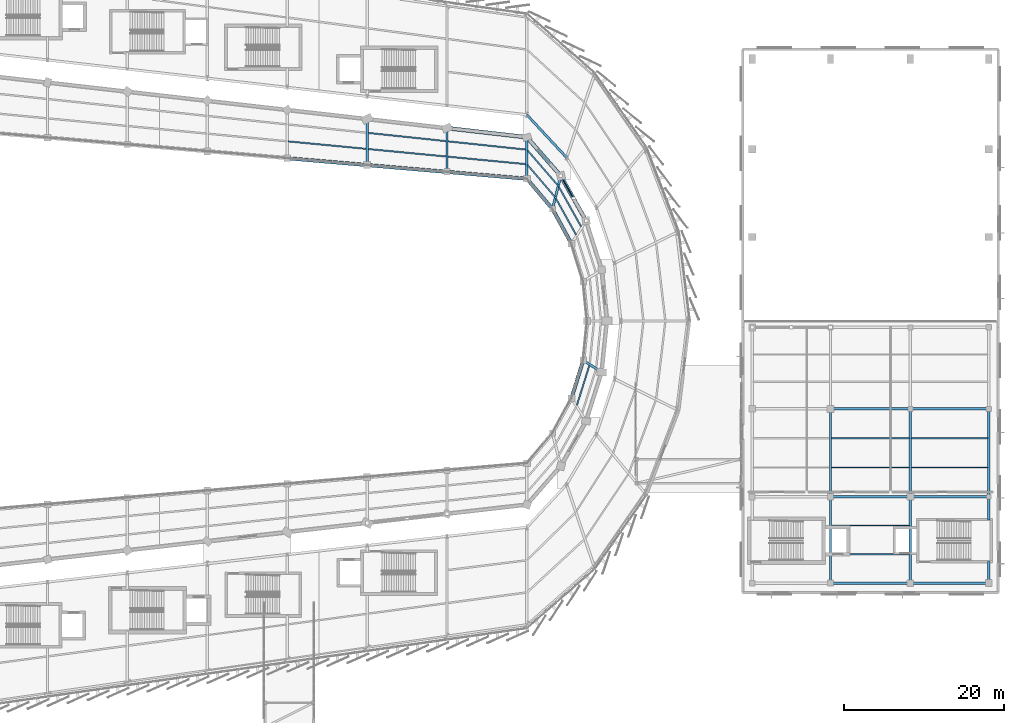
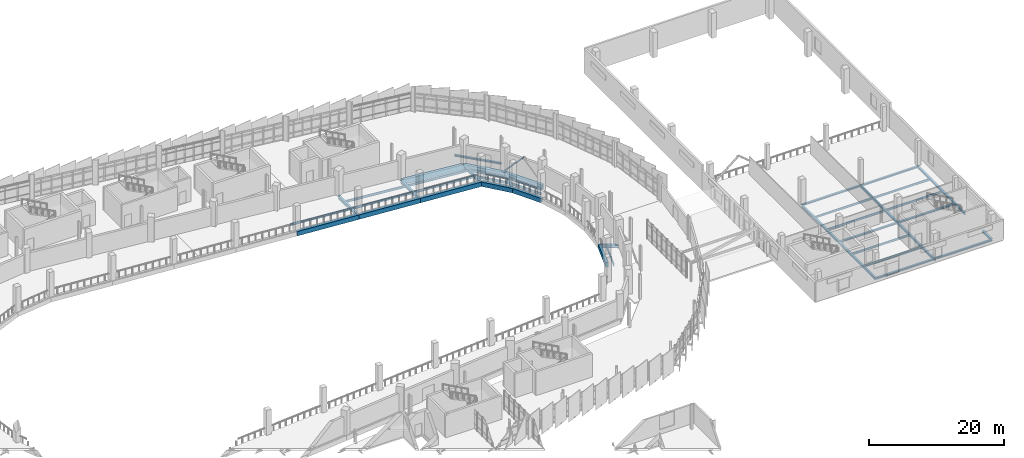
# One storey, part 70 of 125: 44 beams, 1 member.
"""IFC4 building model written with IfcOpenShell, lengths in metres."""

from ifc_helpers import new_model, si_unit, direction, frame, origin, origin_2d, place, context, subcontext, project, spatial, rectangle, hollow_circle, i_section, extrude, material, material_profile, profile_set, type_object, element, save


model = new_model("IFC4")

# Units and contexts
model_context = context("Model", 3, precision=1e-05, world=origin(), true_north=direction((0.0, 1.0)))
body_context = subcontext(model_context, "Body", "Model", "MODEL_VIEW")
ifc_project = project(units=[si_unit("LENGTHUNIT", "METRE"), si_unit("AREAUNIT", "SQUARE_METRE"), si_unit("VOLUMEUNIT", "CUBIC_METRE"), si_unit("PLANEANGLEUNIT", "RADIAN"), si_unit("MASSUNIT", "GRAM", prefix="KILO")], contexts=[model_context])

# Site, building, storey
site_placement = place(None, origin())
site = spatial("IfcSite", under=ifc_project, at=site_placement, CompositionType="ELEMENT")
building_placement = place(site_placement, origin())
building = spatial("IfcBuilding", under=site, at=building_placement, Name="Sohan Crest Arena", CompositionType="ELEMENT")
storey_placement = place(building_placement, frame((0.0, 0.0, 9.0)))
storey = spatial("IfcBuildingStorey", under=building, at=storey_placement, Name="L02", CompositionType="ELEMENT", Elevation=9.0)

# Beams
ifc_material_1 = material(Name="Steel S355", Category="steel")
ifc_material_profile_1 = material_profile(ifc_material_1, i_section(OverallWidth=0.169921875, OverallDepth=0.360107421875, WebThickness=0.008056640625, FlangeThickness=0.0126953125, at=origin_2d()), Name="IPE 360")
ifc_profile_set_1 = profile_set([ifc_material_profile_1], Name="Steel S355")
beam_type_1 = type_object("IfcBeamType", Name="STR-BM-B02", PredefinedType="JOIST", material=ifc_profile_set_1)
for number, where, z_axis, x_axis, name in (
    (1, (206.110107421875, 48.800048828125, -0.409912109375), (1.0, 0.0, 0.0), (0.0, 1.0, 0.0), "Structural beam J-L02-2320"),
    (2, (206.110107421875, 52.39990234375, -0.409912109375), (1.0, 0.0, 0.0), (0.0, 1.0, 0.0), "Structural beam J-L02-2321"),
    (3, (206.110107421875, 59.6669921875, -0.409912109375), (1.0, 0.0, 0.0), (0.0, 1.0, 0.0), "Structural beam J-L02-2327"),
    (4, (206.110107421875, 63.3330078125, -0.409912109375), (1.0, 0.0, 0.0), (0.0, 1.0, 0.0), "Structural beam J-L02-2328"),
):
    element("IfcBeam", number, at=place(storey_placement, frame(where, z_axis=z_axis, x_axis=x_axis)), inside=storey, type_object=beam_type_1, Name=name, PredefinedType="JOIST", context=body_context, shape_type="SweptSolid", body=[
        extrude(i_section(OverallWidth=0.169921875, OverallDepth=0.360107421875, WebThickness=0.008056640625, FlangeThickness=0.0126953125, at=origin_2d()), origin(), (0.0, 0.0, 1.0), 9.77978515625),
    ])
for number, where, z_axis, x_axis, name in (
    (5, (216.110107421875, 59.6669921875, -0.409912109375), (1.0, 0.0, 0.0), (0.0, 1.0, 0.0), "Structural beam J-L02-2330"),
    (6, (216.110107421875, 63.3330078125, -0.409912109375), (1.0, 0.0, 0.0), (0.0, 1.0, 0.0), "Structural beam J-L02-2331"),
):
    element("IfcBeam", number, at=place(storey_placement, frame(where, z_axis=z_axis, x_axis=x_axis)), inside=storey, type_object=beam_type_1, Name=name, PredefinedType="JOIST", context=body_context, shape_type="SweptSolid", body=[
        extrude(i_section(OverallWidth=0.169921875, OverallDepth=0.360107421875, WebThickness=0.008056640625, FlangeThickness=0.0126953125, at=origin_2d()), origin(), (0.0, 0.0, 1.0), 9.579833984375),
    ])
ifc_material_profile_2 = material_profile(ifc_material_1, i_section(OverallWidth=0.179931640625, OverallDepth=0.39990234375, WebThickness=0.008544921875, FlangeThickness=0.013427734375, at=origin_2d()), Name="IPE 400")
ifc_profile_set_2 = profile_set([ifc_material_profile_2], Name="Steel S355")
beam_type_2 = type_object("IfcBeamType", Name="STR-BM-B03", PredefinedType="JOIST", material=ifc_profile_set_2)
beam_1_placement = place(storey_placement, frame((174.2470703125, 67.43310546875, -0.449951171875), z_axis=(0.298949451422, 0.954268948198, 0.0), x_axis=(-0.954268948198, 0.298949451422, 0.0)))
element("IfcBeam", 7, at=beam_1_placement, inside=storey, type_object=beam_type_2, Name="Structural beam J-L02-0535", PredefinedType="JOIST", context=body_context, shape_type="SweptSolid", body=[
    extrude(i_section(OverallWidth=0.179931640625, OverallDepth=0.39990234375, WebThickness=0.008544921875, FlangeThickness=0.013427734375, at=origin_2d()), origin(), (0.0, 0.0, 1.0), 5.255126953125),
])
beam_2_placement = place(storey_placement, frame((174.160888671875, 88.76806640625, -0.449951171875), z_axis=(-0.484550137215, 0.874763490622, 0.0), x_axis=(-0.874763490622, -0.484550137215, 0.0)))
element("IfcBeam", 8, at=beam_2_placement, inside=storey, type_object=beam_type_2, Name="Structural beam J-L02-0627", PredefinedType="JOIST", context=body_context, shape_type="SweptSolid", body=[
    extrude(i_section(OverallWidth=0.179931640625, OverallDepth=0.39990234375, WebThickness=0.008544921875, FlangeThickness=0.013427734375, at=origin_2d()), origin(), (0.0, 0.0, 1.0), 5.256103515625),
])
beam_3_placement = place(storey_placement, frame((174.803955078125, 89.777099609375, -0.449951171875), z_axis=(-0.488712798321, 0.872444726477, 0.0), x_axis=(-0.872444726477, -0.488712798321, 0.0)))
element("IfcBeam", 9, at=beam_3_placement, inside=storey, type_object=beam_type_2, Name="Structural beam J-L02-0628", PredefinedType="JOIST", context=body_context, shape_type="SweptSolid", body=[
    extrude(i_section(OverallWidth=0.179931640625, OverallDepth=0.39990234375, WebThickness=0.008544921875, FlangeThickness=0.013427734375, at=origin_2d()), origin(), (0.0, 0.0, 1.0), 5.7744140625),
])
beam_4_placement = place(storey_placement, frame((171.489013671875, 93.5458984375, -0.449951171875), z_axis=(-0.65046216093, 0.759538660766, 0.0), x_axis=(-0.759538660766, -0.65046216093, 0.0)))
element("IfcBeam", 10, at=beam_4_placement, inside=storey, type_object=beam_type_2, Name="Structural beam J-L02-0650", PredefinedType="JOIST", context=body_context, shape_type="SweptSolid", body=[
    extrude(i_section(OverallWidth=0.179931640625, OverallDepth=0.39990234375, WebThickness=0.008544921875, FlangeThickness=0.013427734375, at=origin_2d()), origin(), (0.0, 0.0, 1.0), 5.253173828125),
])
beam_5_placement = place(storey_placement, frame((171.85595703125, 94.993896484375, -0.449951171875), z_axis=(-0.655191219496, 0.755463080432, 0.0), x_axis=(-0.755463080432, -0.655191219496, 0.0)))
element("IfcBeam", 11, at=beam_5_placement, inside=storey, type_object=beam_type_2, Name="Structural beam J-L02-0651", PredefinedType="JOIST", context=body_context, shape_type="SweptSolid", body=[
    extrude(i_section(OverallWidth=0.179931640625, OverallDepth=0.39990234375, WebThickness=0.008544921875, FlangeThickness=0.013427734375, at=origin_2d()), origin(), (0.0, 0.0, 1.0), 5.775390625),
])
beam_6_placement = place(storey_placement, frame((167.89111328125, 97.6298828125, -0.449951171875), z_axis=(-0.995443739336, 0.095350730547, 0.0), x_axis=(-0.095350730547, -0.995443739336, 0.0)))
element("IfcBeam", 12, at=beam_6_placement, inside=storey, type_object=beam_type_2, Name="Structural beam J-L02-0672", PredefinedType="JOIST", context=body_context, shape_type="SweptSolid", body=[
    extrude(i_section(OverallWidth=0.179931640625, OverallDepth=0.39990234375, WebThickness=0.008544921875, FlangeThickness=0.013427734375, at=origin_2d()), origin(), (0.0, 0.0, 1.0), 9.826904296875),
])
beam_7_placement = place(storey_placement, frame((167.89111328125, 99.451904296875, -0.449951171875), z_axis=(-0.994468399553, 0.105036195141, 0.0), x_axis=(-0.105036195141, -0.994468399553, 0.0)))
element("IfcBeam", 13, at=beam_7_placement, inside=storey, type_object=beam_type_2, Name="Structural beam J-L02-0673", PredefinedType="JOIST", context=body_context, shape_type="SweptSolid", body=[
    extrude(i_section(OverallWidth=0.179931640625, OverallDepth=0.39990234375, WebThickness=0.008544921875, FlangeThickness=0.013427734375, at=origin_2d()), origin(), (0.0, 0.0, 1.0), 9.836669921875),
])
beam_8_placement = place(storey_placement, frame((157.89111328125, 98.5869140625, -0.449951171875), z_axis=(-0.995443739336, 0.095350730547, 0.0), x_axis=(-0.095350730547, -0.995443739336, 0.0)))
element("IfcBeam", 14, at=beam_8_placement, inside=storey, type_object=beam_type_2, Name="Structural beam J-L02-0694", PredefinedType="JOIST", context=body_context, shape_type="SweptSolid", body=[
    extrude(i_section(OverallWidth=0.179931640625, OverallDepth=0.39990234375, WebThickness=0.008544921875, FlangeThickness=0.013427734375, at=origin_2d()), origin(), (0.0, 0.0, 1.0), 9.826904296875),
])
beam_9_placement = place(storey_placement, frame((157.89111328125, 100.509033203125, -0.449951171875), z_axis=(-0.994470991784, 0.105011649352, 0.0), x_axis=(-0.105011649352, -0.994470991784, 0.0)))
element("IfcBeam", 15, at=beam_9_placement, inside=storey, type_object=beam_type_2, Name="Structural beam J-L02-0695", PredefinedType="JOIST", context=body_context, shape_type="SweptSolid", body=[
    extrude(i_section(OverallWidth=0.179931640625, OverallDepth=0.39990234375, WebThickness=0.008544921875, FlangeThickness=0.013427734375, at=origin_2d()), origin(), (0.0, 0.0, 1.0), 9.836669921875),
])
beam_10_placement = place(storey_placement, frame((147.89111328125, 99.5439453125, -0.449951171875), z_axis=(-0.995443739336, 0.095350730547, 0.0), x_axis=(-0.095350730547, -0.995443739336, 0.0)))
element("IfcBeam", 16, at=beam_10_placement, inside=storey, type_object=beam_type_2, Name="Structural beam J-L02-0716", PredefinedType="JOIST", context=body_context, shape_type="SweptSolid", body=[
    extrude(i_section(OverallWidth=0.179931640625, OverallDepth=0.39990234375, WebThickness=0.008544921875, FlangeThickness=0.013427734375, at=origin_2d()), origin(), (0.0, 0.0, 1.0), 9.826904296875),
])
ifc_material_profile_3 = material_profile(ifc_material_1, i_section(OverallWidth=0.300048828125, OverallDepth=0.2900390625, WebThickness=0.008544921875, FlangeThickness=0.013916015625, at=origin_2d()), Name="HEA 300")
ifc_profile_set_3 = profile_set([ifc_material_profile_3], Name="Steel S355")
beam_type_3 = type_object("IfcBeamType", Name="STR-BM-B08", PredefinedType="BEAM", material=ifc_profile_set_3)
beam_11_placement = place(storey_placement, frame((206.0, 45.199951171875, -0.375), z_axis=(1.0, 0.0, 0.0), x_axis=(0.0, 1.0, 0.0)))
element("IfcBeam", 17, at=beam_11_placement, inside=storey, type_object=beam_type_3, Name="Structural beam G-L02-2319", PredefinedType="BEAM", context=body_context, shape_type="SweptSolid", body=[
    extrude(i_section(OverallWidth=0.300048828125, OverallDepth=0.2900390625, WebThickness=0.008544921875, FlangeThickness=0.013916015625, at=origin_2d()), origin(), (0.0, 0.0, 1.0), 10.0),
])
beam_12_placement = place(storey_placement, frame((216.0, 45.199951171875, -0.375), z_axis=(1.0, 0.0, 0.0), x_axis=(0.0, 1.0, 0.0)))
element("IfcBeam", 18, at=beam_12_placement, inside=storey, type_object=beam_type_3, Name="Structural beam G-L02-2322", PredefinedType="BEAM", context=body_context, shape_type="SweptSolid", body=[
    extrude(i_section(OverallWidth=0.300048828125, OverallDepth=0.2900390625, WebThickness=0.008544921875, FlangeThickness=0.013916015625, at=origin_2d()), origin(), (0.0, 0.0, 1.0), 9.800048828125),
])
beam_13_placement = place(storey_placement, frame((206.0, 56.0, -0.375), z_axis=(1.0, 0.0, 0.0), x_axis=(0.0, 1.0, 0.0)))
element("IfcBeam", 19, at=beam_13_placement, inside=storey, type_object=beam_type_3, Name="Structural beam G-L02-2326", PredefinedType="BEAM", context=body_context, shape_type="SweptSolid", body=[
    extrude(i_section(OverallWidth=0.300048828125, OverallDepth=0.2900390625, WebThickness=0.008544921875, FlangeThickness=0.013916015625, at=origin_2d()), origin(), (0.0, 0.0, 1.0), 10.0),
])
beam_14_placement = place(storey_placement, frame((216.0, 56.0, -0.375), z_axis=(1.0, 0.0, 0.0), x_axis=(0.0, 1.0, 0.0)))
element("IfcBeam", 20, at=beam_14_placement, inside=storey, type_object=beam_type_3, Name="Structural beam G-L02-2329", PredefinedType="BEAM", context=body_context, shape_type="SweptSolid", body=[
    extrude(i_section(OverallWidth=0.300048828125, OverallDepth=0.2900390625, WebThickness=0.008544921875, FlangeThickness=0.013916015625, at=origin_2d()), origin(), (0.0, 0.0, 1.0), 9.800048828125),
])
beam_15_placement = place(storey_placement, frame((206.0, 67.0, -0.375), z_axis=(1.0, 0.0, 0.0), x_axis=(0.0, 1.0, 0.0)))
element("IfcBeam", 21, at=beam_15_placement, inside=storey, type_object=beam_type_3, Name="Structural beam G-L02-2335", PredefinedType="BEAM", context=body_context, shape_type="SweptSolid", body=[
    extrude(i_section(OverallWidth=0.300048828125, OverallDepth=0.2900390625, WebThickness=0.008544921875, FlangeThickness=0.013916015625, at=origin_2d()), origin(), (0.0, 0.0, 1.0), 10.0),
])
beam_16_placement = place(storey_placement, frame((216.0, 67.0, -0.375), z_axis=(1.0, 0.0, 0.0), x_axis=(0.0, 1.0, 0.0)))
element("IfcBeam", 22, at=beam_16_placement, inside=storey, type_object=beam_type_3, Name="Structural beam G-L02-2338", PredefinedType="BEAM", context=body_context, shape_type="SweptSolid", body=[
    extrude(i_section(OverallWidth=0.300048828125, OverallDepth=0.2900390625, WebThickness=0.008544921875, FlangeThickness=0.013916015625, at=origin_2d()), origin(), (0.0, 0.0, 1.0), 9.800048828125),
])
ifc_material_profile_4 = material_profile(ifc_material_1, i_section(OverallWidth=0.300048828125, OverallDepth=0.389892578125, WebThickness=0.010986328125, FlangeThickness=0.01904296875, at=origin_2d()), Name="HEA 400")
ifc_profile_set_4 = profile_set([ifc_material_profile_4], Name="Steel S355")
beam_type_4 = type_object("IfcBeamType", Name="STR-BM-B09", PredefinedType="BEAM", material=ifc_profile_set_4)
beam_17_placement = place(storey_placement, frame((206.0, 45.199951171875, -0.425048828125), z_axis=(0.0, 1.0, 0.0), x_axis=(-1.0, 0.0, 0.0)))
element("IfcBeam", 23, at=beam_17_placement, inside=storey, type_object=beam_type_4, Name="Structural beam G-L02-2308", PredefinedType="BEAM", context=body_context, shape_type="SweptSolid", body=[
    extrude(i_section(OverallWidth=0.300048828125, OverallDepth=0.389892578125, WebThickness=0.010986328125, FlangeThickness=0.01904296875, at=origin_2d()), origin(), (0.0, 0.0, 1.0), 10.800048828125),
])
beam_18_placement = place(storey_placement, frame((206.0, 56.0, -0.425048828125), z_axis=(0.0, 1.0, 0.0), x_axis=(-1.0, 0.0, 0.0)))
element("IfcBeam", 24, at=beam_18_placement, inside=storey, type_object=beam_type_4, Name="Structural beam G-L02-2309", PredefinedType="BEAM", context=body_context, shape_type="SweptSolid", body=[
    extrude(i_section(OverallWidth=0.300048828125, OverallDepth=0.389892578125, WebThickness=0.010986328125, FlangeThickness=0.01904296875, at=origin_2d()), origin(), (0.0, 0.0, 1.0), 11.0),
])
beam_19_placement = place(storey_placement, frame((216.0, 45.199951171875, -0.425048828125), z_axis=(0.0, 1.0, 0.0), x_axis=(-1.0, 0.0, 0.0)))
element("IfcBeam", 25, at=beam_19_placement, inside=storey, type_object=beam_type_4, Name="Structural beam G-L02-2311", PredefinedType="BEAM", context=body_context, shape_type="SweptSolid", body=[
    extrude(i_section(OverallWidth=0.300048828125, OverallDepth=0.389892578125, WebThickness=0.010986328125, FlangeThickness=0.01904296875, at=origin_2d()), origin(), (0.0, 0.0, 1.0), 10.800048828125),
])
beam_20_placement = place(storey_placement, frame((216.0, 56.0, -0.425048828125), z_axis=(0.0, 1.0, 0.0), x_axis=(-1.0, 0.0, 0.0)))
element("IfcBeam", 26, at=beam_20_placement, inside=storey, type_object=beam_type_4, Name="Structural beam G-L02-2312", PredefinedType="BEAM", context=body_context, shape_type="SweptSolid", body=[
    extrude(i_section(OverallWidth=0.300048828125, OverallDepth=0.389892578125, WebThickness=0.010986328125, FlangeThickness=0.01904296875, at=origin_2d()), origin(), (0.0, 0.0, 1.0), 11.0),
])
beam_21_placement = place(storey_placement, frame((225.800048828125, 45.199951171875, -0.425048828125), z_axis=(0.0, 1.0, 0.0), x_axis=(-1.0, 0.0, 0.0)))
element("IfcBeam", 27, at=beam_21_placement, inside=storey, type_object=beam_type_4, Name="Structural beam G-L02-2314", PredefinedType="BEAM", context=body_context, shape_type="SweptSolid", body=[
    extrude(i_section(OverallWidth=0.300048828125, OverallDepth=0.389892578125, WebThickness=0.010986328125, FlangeThickness=0.01904296875, at=origin_2d()), origin(), (0.0, 0.0, 1.0), 2.719970703125),
])
beam_22_placement = place(storey_placement, frame((225.800048828125, 53.080078125, -0.425048828125), z_axis=(0.0, 1.0, 0.0), x_axis=(-1.0, 0.0, 0.0)))
element("IfcBeam", 28, at=beam_22_placement, inside=storey, type_object=beam_type_4, Name="Structural beam G-L02-2315", PredefinedType="BEAM", context=body_context, shape_type="SweptSolid", body=[
    extrude(i_section(OverallWidth=0.300048828125, OverallDepth=0.389892578125, WebThickness=0.010986328125, FlangeThickness=0.01904296875, at=origin_2d()), origin(), (0.0, 0.0, 1.0), 2.919921875),
])
beam_23_placement = place(storey_placement, frame((225.800048828125, 56.0, -0.425048828125), z_axis=(0.0, 1.0, 0.0), x_axis=(-1.0, 0.0, 0.0)))
element("IfcBeam", 29, at=beam_23_placement, inside=storey, type_object=beam_type_4, Name="Structural beam G-L02-2316", PredefinedType="BEAM", context=body_context, shape_type="SweptSolid", body=[
    extrude(i_section(OverallWidth=0.300048828125, OverallDepth=0.389892578125, WebThickness=0.010986328125, FlangeThickness=0.01904296875, at=origin_2d()), origin(), (0.0, 0.0, 1.0), 11.0),
])
ifc_material_profile_5 = material_profile(ifc_material_1, i_section(OverallWidth=0.300048828125, OverallDepth=0.590087890625, WebThickness=0.012939453125, FlangeThickness=0.02490234375, at=origin_2d()), Name="HEA 600")
ifc_profile_set_5 = profile_set([ifc_material_profile_5], Name="Steel S355")
beam_type_5 = type_object("IfcBeamType", Name="STR-BM-B11", PredefinedType="BEAM", material=ifc_profile_set_5)
beam_24_placement = place(storey_placement, frame((175.037109375, 73.070068359375, -0.544921875), z_axis=(0.84416826172, -0.536078302027, 0.0), x_axis=(0.536078302027, 0.84416826172, 0.0)))
element("IfcBeam", 30, at=beam_24_placement, inside=storey, type_object=beam_type_5, Name="Structural beam G-L02-0557", PredefinedType="BEAM", context=body_context, shape_type="SweptSolid", body=[
    extrude(i_section(OverallWidth=0.300048828125, OverallDepth=0.590087890625, WebThickness=0.012939453125, FlangeThickness=0.02490234375, at=origin_2d()), origin(), (0.0, 0.0, 1.0), 2.75537109375),
])
beam_25_placement = place(storey_placement, frame((171.194091796875, 92.011962890625, -0.544921875), z_axis=(0.245465367753, 0.969405360638, 0.0), x_axis=(-0.969405360638, 0.245465367753, 0.0)))
element("IfcBeam", 31, at=beam_25_placement, inside=storey, type_object=beam_type_5, Name="Structural beam G-L02-0649", PredefinedType="BEAM", context=body_context, shape_type="SweptSolid", body=[
    extrude(i_section(OverallWidth=0.300048828125, OverallDepth=0.590087890625, WebThickness=0.012939453125, FlangeThickness=0.02490234375, at=origin_2d()), origin(), (0.0, 0.0, 1.0), 4.272705078125),
])
beam_26_placement = place(storey_placement, frame((168.0, 95.800048828125, -0.544921875), z_axis=(0.0, 1.0, 0.0), x_axis=(-1.0, 0.0, 0.0)))
element("IfcBeam", 32, at=beam_26_placement, inside=storey, type_object=beam_type_5, Name="Structural beam G-L02-0671", PredefinedType="BEAM", context=body_context, shape_type="SweptSolid", body=[
    extrude(i_section(OverallWidth=0.300048828125, OverallDepth=0.590087890625, WebThickness=0.012939453125, FlangeThickness=0.02490234375, at=origin_2d()), origin(), (0.0, 0.0, 1.0), 5.199951171875),
])
beam_27_placement = place(storey_placement, frame((158.0, 96.656982421875, -0.544921875), z_axis=(0.0, 1.0, 0.0), x_axis=(-1.0, 0.0, 0.0)))
element("IfcBeam", 33, at=beam_27_placement, inside=storey, type_object=beam_type_5, Name="Structural beam G-L02-0693", PredefinedType="BEAM", context=body_context, shape_type="SweptSolid", body=[
    extrude(i_section(OverallWidth=0.300048828125, OverallDepth=0.590087890625, WebThickness=0.012939453125, FlangeThickness=0.02490234375, at=origin_2d()), origin(), (0.0, 0.0, 1.0), 5.486083984375),
])
beam_28_placement = place(storey_placement, frame((148.0, 97.513916015625, -0.544921875), z_axis=(0.0, 1.0, 0.0), x_axis=(-1.0, 0.0, 0.0)))
element("IfcBeam", 34, at=beam_28_placement, inside=storey, type_object=beam_type_5, Name="Structural beam G-L02-0715", PredefinedType="BEAM", context=body_context, shape_type="SweptSolid", body=[
    extrude(i_section(OverallWidth=0.300048828125, OverallDepth=0.590087890625, WebThickness=0.012939453125, FlangeThickness=0.02490234375, at=origin_2d()), origin(), (0.0, 0.0, 1.0), 5.77197265625),
])
ifc_material_profile_6 = material_profile(ifc_material_1, i_section(OverallWidth=0.300048828125, OverallDepth=0.300048828125, WebThickness=0.010986328125, FlangeThickness=0.01904296875, at=origin_2d()), Name="HEB 300")
ifc_profile_set_6 = profile_set([ifc_material_profile_6], Name="Steel S355")
beam_type_6 = type_object("IfcBeamType", Name="STR-BM-B12", PredefinedType="BEAM", material=ifc_profile_set_6)
beam_29_placement = place(storey_placement, frame((172.9609375, 98.452880859375, -0.39990234375), z_axis=(-0.680135214567, 0.733086686488, 0.0), x_axis=(-0.733086686488, -0.680135214567, 0.0)))
element("IfcBeam", 35, at=beam_29_placement, inside=storey, type_object=beam_type_6, Name="Structural beam G-L02-1362", PredefinedType="BEAM", context=body_context, shape_type="SweptSolid", body=[
    extrude(i_section(OverallWidth=0.300048828125, OverallDepth=0.300048828125, WebThickness=0.010986328125, FlangeThickness=0.01904296875, at=origin_2d()), origin(), (0.0, 0.0, 1.0), 7.2939453125),
])
ifc_material_2 = material(Name="Concrete C40/50", Category="concrete")
ifc_material_profile_7 = material_profile(ifc_material_2, rectangle(XDim=0.449951171875, YDim=0.800048828125, at=origin_2d()), Name="RC-BM 450x800")
ifc_profile_set_7 = profile_set([ifc_material_profile_7], Name="Concrete C40/50")
beam_type_7 = type_object("IfcBeamType", Name="STR-BM-TB02", PredefinedType="BEAM", material=ifc_profile_set_7)
beam_30_placement = place(storey_placement, frame((173.571044921875, 68.3359375, -0.64990234375), z_axis=(0.295819661295, 0.955243805524, 0.0), x_axis=(-0.955243805524, 0.295819661295, 0.0)))
element("IfcBeam", 36, at=beam_30_placement, inside=storey, type_object=beam_type_7, Name="Structural beam TB-L02-0532", PredefinedType="BEAM", context=body_context, shape_type="SweptSolid", body=[
    extrude(rectangle(XDim=0.449951171875, YDim=0.800048828125, at=origin_2d()), origin(), (0.0, 0.0, 1.0), 4.9560546875),
])
beam_31_placement = place(storey_placement, frame((173.571044921875, 87.6640625, -0.64990234375), z_axis=(-0.479687297687, 0.877439511555, 0.0), x_axis=(-0.877439511555, -0.479687297687, 0.0)))
element("IfcBeam", 37, at=beam_31_placement, inside=storey, type_object=beam_type_7, Name="Structural beam TB-L02-0624", PredefinedType="BEAM", context=body_context, shape_type="SweptSolid", body=[
    extrude(rectangle(XDim=0.449951171875, YDim=0.800048828125, at=origin_2d()), origin(), (0.0, 0.0, 1.0), 4.955322265625),
])
beam_32_placement = place(storey_placement, frame((171.194091796875, 92.011962890625, -0.64990234375), z_axis=(-0.644622663131, 0.764500897435, 0.0), x_axis=(-0.764500897435, -0.644622663131, 0.0)))
element("IfcBeam", 38, at=beam_32_placement, inside=storey, type_object=beam_type_7, Name="Structural beam TB-L02-0647", PredefinedType="BEAM", context=body_context, shape_type="SweptSolid", body=[
    extrude(rectangle(XDim=0.449951171875, YDim=0.800048828125, at=origin_2d()), origin(), (0.0, 0.0, 1.0), 4.955078125),
])
for number, where, z_axis, x_axis, name in (
    (39, (168.0, 95.800048828125, -0.64990234375), (-0.996348422929, 0.085380443469, 0.0), (-0.085380443469, -0.996348422929, 0.0), "Structural beam TB-L02-0669"),
    (40, (158.0, 96.656982421875, -0.64990234375), (-0.996348422929, 0.085380443469, 0.0), (-0.085380443469, -0.996348422929, 0.0), "Structural beam TB-L02-0691"),
    (41, (148.0, 97.513916015625, -0.64990234375), (-0.996346353353, 0.085404590982, 0.0), (-0.085404590982, -0.996346353353, 0.0), "Structural beam TB-L02-0713"),
):
    element("IfcBeam", number, at=place(storey_placement, frame(where, z_axis=z_axis, x_axis=x_axis)), inside=storey, type_object=beam_type_7, Name=name, PredefinedType="BEAM", context=body_context, shape_type="SweptSolid", body=[
        extrude(rectangle(XDim=0.449951171875, YDim=0.800048828125, at=origin_2d()), origin(), (0.0, 0.0, 1.0), 10.03662109375),
    ])
ifc_material_profile_8 = material_profile(ifc_material_2, rectangle(XDim=0.5, YDim=0.89990234375, at=origin_2d()), Name="RC-BM 500x900")
ifc_profile_set_8 = profile_set([ifc_material_profile_8], Name="Concrete C40/50")
beam_type_8 = type_object("IfcBeamType", Name="STR-BM-TB03", PredefinedType="BEAM", material=ifc_profile_set_8)
for number, where, z_axis, x_axis, name in (
    (42, (175.408935546875, 90.544921875, -0.699951171875), (-0.491543833039, 0.870852834985, 0.0), (-0.870852834985, -0.491543833039, 0.0), "Structural beam TB-L02-0625"),
    (43, (172.242919921875, 96.154052734375, -0.699951171875), (-0.658743407002, 0.752367678553, 0.0), (-0.752367678553, -0.658743407002, 0.0), "Structural beam TB-L02-0648"),
):
    element("IfcBeam", number, at=place(storey_placement, frame(where, z_axis=z_axis, x_axis=x_axis)), inside=storey, type_object=beam_type_8, Name=name, PredefinedType="BEAM", context=body_context, shape_type="SweptSolid", body=[
        extrude(rectangle(XDim=0.5, YDim=0.89990234375, at=origin_2d()), origin(), (0.0, 0.0, 1.0), 6.44091796875),
    ])
beam_33_placement = place(storey_placement, frame((168.0, 101.0, -0.699951171875), z_axis=(-0.99353032697, 0.113567114035, 0.0), x_axis=(-0.113567114035, -0.99353032697, 0.0)))
element("IfcBeam", 44, at=beam_33_placement, inside=storey, type_object=beam_type_8, Name="Structural beam TB-L02-0670", PredefinedType="BEAM", context=body_context, shape_type="SweptSolid", body=[
    extrude(rectangle(XDim=0.5, YDim=0.89990234375, at=origin_2d()), origin(), (0.0, 0.0, 1.0), 10.065185546875),
])

# Member
ifc_material_profile_9 = material_profile(ifc_material_1, hollow_circle(Radius=0.109619140625, WallThickness=0.010009765625, at=origin_2d()), Name="CHS 219.1x10")
ifc_profile_set_9 = profile_set([ifc_material_profile_9], Name="Steel S355")
member_type = type_object("IfcMemberType", Name="STR-MEM-BR01", PredefinedType="BRACE", material=ifc_profile_set_9)
member_placement = place(storey_placement, frame((172.242919921875, 96.154052734375, 0.0), z_axis=(0.332855096691, -0.589580627004, 0.735936253264), x_axis=(0.870807032263, 0.491624971458, 0.0)))
element("IfcMember", 45, at=member_placement, inside=storey, type_object=member_type, Name="Concentric lateral chevron brace BR-030", PredefinedType="BRACE", context=body_context, shape_type="SweptSolid", body=[
    extrude(hollow_circle(Radius=0.109619140625, WallThickness=0.010009765625, at=origin_2d()), origin(), (0.0, 0.0, 1.0), 4.755859375),
])

save(model, "model.ifc")
